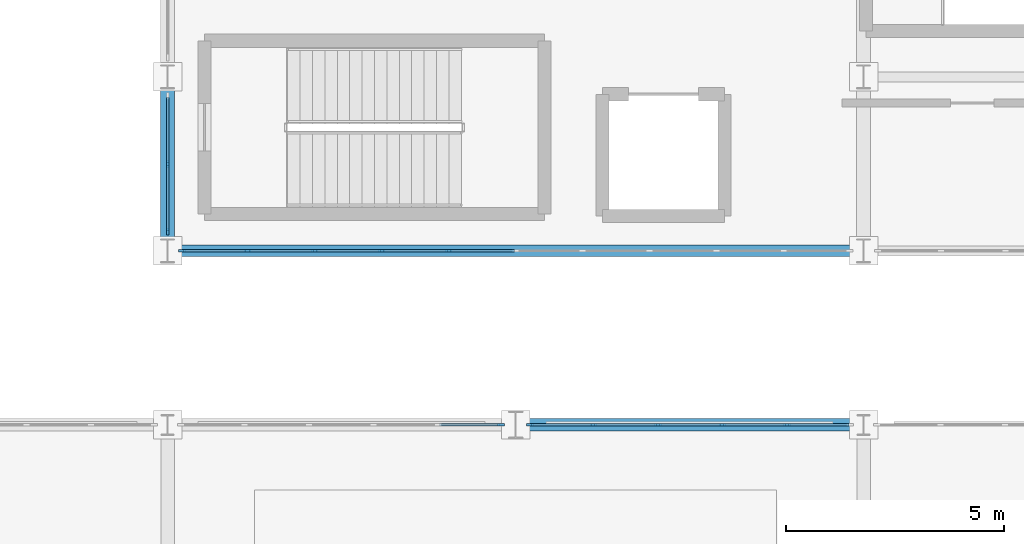
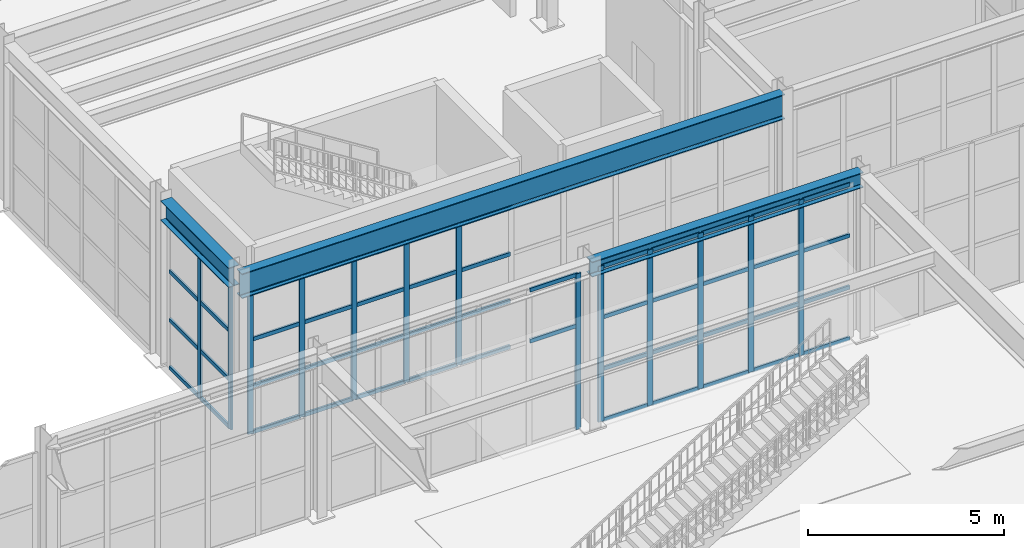
# One storey, part 32 of 82: 63 members, 3 beams, 4 elements without a shape of their own.
"""IFC4 building model written with IfcOpenShell, lengths in metres."""

from ifc_helpers import new_model, si_unit, direction, frame, origin, origin_2d, place, context, subcontext, project, spatial, rectangle, i_section, extrude, material, material_profile, profile_set, type_object, element, aggregate, save


model = new_model("IFC4")

# Units and contexts
model_context = context("Model", 3, precision=1e-05, world=origin(), true_north=direction((0.0, 1.0)))
body_context = subcontext(model_context, "Body", "Model", "MODEL_VIEW")
ifc_project = project(units=[si_unit("LENGTHUNIT", "METRE"), si_unit("AREAUNIT", "SQUARE_METRE"), si_unit("VOLUMEUNIT", "CUBIC_METRE"), si_unit("PLANEANGLEUNIT", "RADIAN"), si_unit("MASSUNIT", "GRAM", prefix="KILO")], contexts=[model_context])

# Site, building, storey
site_placement = place(None, origin())
site = spatial("IfcSite", under=ifc_project, at=site_placement, CompositionType="ELEMENT")
building_placement = place(site_placement, origin())
building = spatial("IfcBuilding", under=site, at=building_placement, Name="Serraluz Foothill Cableway Terminal", CompositionType="ELEMENT")
storey_placement = place(building_placement, frame((0.0, 0.0, 9.60009765625)))
storey = spatial("IfcBuildingStorey", under=building, at=storey_placement, Name="L02", CompositionType="ELEMENT", Elevation=9.60009765625)

# Beams
ifc_material_1 = material(Name="Steel ASTM A992 Grade 50", Category="steel")
ifc_material_profile_1 = material_profile(ifc_material_1, i_section(OverallWidth=0.324951171875, OverallDepth=0.615966796875, WebThickness=0.013916015625, FlangeThickness=0.021484375, FilletRadius=0.01806640625, at=origin_2d()), Name="W24X117")
ifc_profile_set_1 = profile_set([ifc_material_profile_1], Name="Steel ASTM A992 Grade 50")
beam_type_1 = type_object("IfcBeamType", Name="TYP-BM-W24X117", PredefinedType="BEAM", material=ifc_profile_set_1)
beam_1_placement = place(storey_placement, frame((80.0, 76.267578125, 4.841796875), z_axis=(0.0, 1.0, 0.0), x_axis=(-1.0, 0.0, 0.0)))
element("IfcBeam", 1, at=beam_1_placement, inside=storey, type_object=beam_type_1, Name="Transverse Girder BM-Y-L02-0331", PredefinedType="BEAM", context=body_context, shape_type="SweptSolid", body=[
    extrude(i_section(OverallWidth=0.324951171875, OverallDepth=0.615966796875, WebThickness=0.013916015625, FlangeThickness=0.021484375, FilletRadius=0.01806640625, at=origin_2d()), origin(), (0.0, 0.0, 1.0), 3.46484375),
])
ifc_material_profile_2 = material_profile(ifc_material_1, i_section(OverallWidth=0.26806640625, OverallDepth=0.77001953125, WebThickness=0.015625, FlangeThickness=0.025390625, FilletRadius=0.02197265625, at=origin_2d()), Name="W30X132")
ifc_profile_set_2 = profile_set([ifc_material_profile_2], Name="Steel ASTM A992 Grade 50")
beam_type_2 = type_object("IfcBeamType", Name="TYP-BM-W30X132", PredefinedType="BEAM", material=ifc_profile_set_2)
beam_2_placement = place(storey_placement, frame((80.0048828125, 76.0, 4.764892578125), z_axis=(1.0, 0.0, 0.0), x_axis=(0.0, 1.0, 0.0)))
element("IfcBeam", 2, at=beam_2_placement, inside=storey, type_object=beam_type_2, Name="Primary Girder BM-X-L02-0315", PredefinedType="BEAM", context=body_context, shape_type="SweptSolid", body=[
    extrude(i_section(OverallWidth=0.26806640625, OverallDepth=0.77001953125, WebThickness=0.015625, FlangeThickness=0.025390625, FilletRadius=0.02197265625, at=origin_2d()), origin(), (0.0, 0.0, 1.0), 15.990234375),
])

# Curtain wall, member
ifc_material_2 = material(Name="Architectural bronze alloy C28000", Category="aluminium")
curtain_wall_type_1 = type_object("IfcCurtainWallType", Name="TYP-CW-480X420", PredefinedType="NOTDEFINED", material=ifc_material_2)
curtain_wall_1_placement = place(storey_placement, origin())
curtain_wall_1 = element("IfcCurtainWall", 3, at=curtain_wall_1_placement, inside=storey, type_object=curtain_wall_type_1, Name="Ribbed Glazed Curtain Wall CW-V1N-L02-80", PredefinedType="NOTDEFINED")
ifc_material_profile_3 = material_profile(ifc_material_2, rectangle(XDim=0.06005859375, YDim=0.159912109375, at=origin_2d()), Name="ALU MULLION 60x160")
ifc_profile_set_3 = profile_set([ifc_material_profile_3], Name="Architectural bronze alloy C28000")
member_type_1 = type_object("IfcMemberType", Name="TYP-CW-MUL-60X160", PredefinedType="MULLION", material=ifc_profile_set_3)
member_1_placement = place(storey_placement, frame((87.66748046875, 72.0, 0.0), z_axis=(0.0, 0.0, 1.0), x_axis=(0.0, 1.0, 0.0)))
member_1 = element("IfcMember", 4, at=member_1_placement, type_object=member_type_1, Name="CW-15 mullion 6", PredefinedType="MULLION", context=body_context, shape_type="SweptSolid", body=[
    extrude(rectangle(XDim=0.06005859375, YDim=0.159912109375, at=origin_2d()), origin(), (0.0, 0.0, 1.0), 4.849853515625),
])

# Curtain wall, members
curtain_wall_type_2 = type_object("IfcCurtainWallType", Name="TYP-CW-440X360", PredefinedType="NOTDEFINED", material=ifc_material_2)
curtain_wall_2_placement = place(storey_placement, origin())
curtain_wall_2 = element("IfcCurtainWall", 5, at=curtain_wall_2_placement, inside=storey, type_object=curtain_wall_type_2, Name="Ribbed Glazed Curtain Wall CW-V1N-L02-88", PredefinedType="NOTDEFINED")
member_2_placement = place(storey_placement, frame((88.33251953125, 72.0, 0.0), z_axis=(0.0, 0.0, 1.0), x_axis=(0.0, 1.0, 0.0)))
member_2 = element("IfcMember", 6, at=member_2_placement, type_object=member_type_1, Name="CW-16 mullion 1", PredefinedType="MULLION", context=body_context, shape_type="SweptSolid", body=[
    extrude(rectangle(XDim=0.06005859375, YDim=0.159912109375, at=origin_2d()), origin(), (0.0, 0.0, 1.0), 4.849853515625),
])
member_3_placement = place(storey_placement, frame((89.78564453125, 72.0, 0.0), z_axis=(0.0, 0.0, 1.0), x_axis=(0.0, 1.0, 0.0)))
member_3 = element("IfcMember", 7, at=member_3_placement, type_object=member_type_1, Name="CW-16 mullion 2", PredefinedType="MULLION", context=body_context, shape_type="SweptSolid", body=[
    extrude(rectangle(XDim=0.06005859375, YDim=0.159912109375, at=origin_2d()), origin(), (0.0, 0.0, 1.0), 4.849853515625),
])
member_4_placement = place(storey_placement, frame((91.268798828125, 72.0, 0.0), z_axis=(0.0, 0.0, 1.0), x_axis=(0.0, 1.0, 0.0)))
member_4 = element("IfcMember", 8, at=member_4_placement, type_object=member_type_1, Name="CW-16 mullion 3", PredefinedType="MULLION", context=body_context, shape_type="SweptSolid", body=[
    extrude(rectangle(XDim=0.06005859375, YDim=0.159912109375, at=origin_2d()), origin(), (0.0, 0.0, 1.0), 4.849853515625),
])
member_5_placement = place(storey_placement, frame((92.752197265625, 72.0, 0.0), z_axis=(0.0, 0.0, 1.0), x_axis=(0.0, 1.0, 0.0)))
member_5 = element("IfcMember", 9, at=member_5_placement, type_object=member_type_1, Name="CW-16 mullion 4", PredefinedType="MULLION", context=body_context, shape_type="SweptSolid", body=[
    extrude(rectangle(XDim=0.06005859375, YDim=0.159912109375, at=origin_2d()), origin(), (0.0, 0.0, 1.0), 4.849853515625),
])
member_6_placement = place(storey_placement, frame((94.2353515625, 72.0, 0.0), z_axis=(0.0, 0.0, 1.0), x_axis=(0.0, 1.0, 0.0)))
member_6 = element("IfcMember", 10, at=member_6_placement, type_object=member_type_1, Name="CW-16 mullion 5", PredefinedType="MULLION", context=body_context, shape_type="SweptSolid", body=[
    extrude(rectangle(XDim=0.06005859375, YDim=0.159912109375, at=origin_2d()), origin(), (0.0, 0.0, 1.0), 4.849853515625),
])

curtain_wall_type_3 = type_object("IfcCurtainWallType", Name="TYP-CW-680X420", PredefinedType="NOTDEFINED", material=ifc_material_2)
curtain_wall_3_placement = place(storey_placement, origin())
curtain_wall_3 = element("IfcCurtainWall", 11, at=curtain_wall_3_placement, inside=storey, type_object=curtain_wall_type_3, Name="Ribbed Glazed Curtain Wall CW-V4S-L02-80", PredefinedType="NOTDEFINED")
member_7_placement = place(storey_placement, frame((86.459228515625, 76.0, 0.0), z_axis=(0.0, 0.0, 1.0), x_axis=(0.0, -1.0, 0.0)))
member_7 = element("IfcMember", 12, at=member_7_placement, type_object=member_type_1, Name="CW-13 mullion 7", PredefinedType="MULLION", context=body_context, shape_type="SweptSolid", body=[
    extrude(rectangle(XDim=0.06005859375, YDim=0.159912109375, at=origin_2d()), origin(), (0.0, 0.0, 1.0), 4.3798828125),
])
member_8_placement = place(storey_placement, frame((84.91845703125, 76.0, 0.0), z_axis=(0.0, 0.0, 1.0), x_axis=(0.0, -1.0, 0.0)))
member_8 = element("IfcMember", 13, at=member_8_placement, type_object=member_type_1, Name="CW-13 mullion 8", PredefinedType="MULLION", context=body_context, shape_type="SweptSolid", body=[
    extrude(rectangle(XDim=0.06005859375, YDim=0.159912109375, at=origin_2d()), origin(), (0.0, 0.0, 1.0), 4.3798828125),
])
member_9_placement = place(storey_placement, frame((83.377685546875, 76.0, 0.0), z_axis=(0.0, 0.0, 1.0), x_axis=(0.0, -1.0, 0.0)))
member_9 = element("IfcMember", 14, at=member_9_placement, type_object=member_type_1, Name="CW-13 mullion 9", PredefinedType="MULLION", context=body_context, shape_type="SweptSolid", body=[
    extrude(rectangle(XDim=0.06005859375, YDim=0.159912109375, at=origin_2d()), origin(), (0.0, 0.0, 1.0), 4.3798828125),
])
member_10_placement = place(storey_placement, frame((81.8369140625, 76.0, 0.0), z_axis=(0.0, 0.0, 1.0), x_axis=(0.0, -1.0, 0.0)))
member_10 = element("IfcMember", 15, at=member_10_placement, type_object=member_type_1, Name="CW-13 mullion 10", PredefinedType="MULLION", context=body_context, shape_type="SweptSolid", body=[
    extrude(rectangle(XDim=0.06005859375, YDim=0.159912109375, at=origin_2d()), origin(), (0.0, 0.0, 1.0), 4.3798828125),
])
member_11_placement = place(storey_placement, frame((80.325927734375, 76.0, 0.0), z_axis=(0.0, 0.0, 1.0), x_axis=(0.0, -1.0, 0.0)))
member_11 = element("IfcMember", 16, at=member_11_placement, type_object=member_type_1, Name="CW-13 mullion 11", PredefinedType="MULLION", context=body_context, shape_type="SweptSolid", body=[
    extrude(rectangle(XDim=0.06005859375, YDim=0.159912109375, at=origin_2d()), origin(), (0.0, 0.0, 1.0), 4.3798828125),
])

curtain_wall_4_placement = place(storey_placement, origin())
curtain_wall_4 = element("IfcCurtainWall", 17, at=curtain_wall_4_placement, inside=storey, type_object=curtain_wall_type_3, Name="Ribbed Glazed Curtain Wall CW-V4W-L02-76", PredefinedType="NOTDEFINED")
member_12_placement = place(storey_placement, frame((80.0, 76.44140625, 0.0), z_axis=(0.0, 0.0, 1.0), x_axis=(-1.0, 0.0, 0.0)))
member_12 = element("IfcMember", 18, at=member_12_placement, type_object=member_type_1, Name="CW-13 mullion 1", PredefinedType="MULLION", context=body_context, shape_type="SweptSolid", body=[
    extrude(rectangle(XDim=0.06005859375, YDim=0.159912109375, at=origin_2d()), origin(), (0.0, 0.0, 1.0), 4.533935546875),
])
member_13_placement = place(storey_placement, frame((80.0, 78.0, 0.0), z_axis=(0.0, 0.0, 1.0), x_axis=(-1.0, 0.0, 0.0)))
member_13 = element("IfcMember", 19, at=member_13_placement, type_object=member_type_1, Name="CW-13 mullion 2", PredefinedType="MULLION", context=body_context, shape_type="SweptSolid", body=[
    extrude(rectangle(XDim=0.06005859375, YDim=0.159912109375, at=origin_2d()), origin(), (0.0, 0.0, 1.0), 4.533935546875),
])

# Member
ifc_material_profile_4 = material_profile(ifc_material_2, rectangle(XDim=0.06005859375, YDim=0.1201171875, at=origin_2d()), Name="ALU TRANSOM 60x120")
ifc_profile_set_4 = profile_set([ifc_material_profile_4], Name="Architectural bronze alloy C28000")
member_type_2 = type_object("IfcMemberType", Name="TYP-CW-TRN-60X120", PredefinedType="USERDEFINED", material=ifc_profile_set_4)
member_14_placement = place(storey_placement, frame((86.244384765625, 72.0, 3.233154296875), z_axis=(1.0, 0.0, 0.0), x_axis=(0.0, 1.0, 0.0)))
member_14 = element("IfcMember", 20, at=member_14_placement, type_object=member_type_2, Name="CW-15 transom 5.3", ObjectType="TRANSOM", PredefinedType="USERDEFINED", context=body_context, shape_type="SweptSolid", body=[
    extrude(rectangle(XDim=0.06005859375, YDim=0.1201171875, at=origin_2d()), origin(), (0.0, 0.0, 1.0), 1.39306640625),
])

member_15_placement = place(storey_placement, frame((86.244384765625, 72.0, 4.81982421875), z_axis=(1.0, 0.0, 0.0), x_axis=(0.0, 1.0, 0.0)))
member_15 = element("IfcMember", 21, at=member_15_placement, type_object=member_type_2, Name="CW-15 transom 5.4", ObjectType="TRANSOM", PredefinedType="USERDEFINED", context=body_context, shape_type="SweptSolid", body=[
    extrude(rectangle(XDim=0.06005859375, YDim=0.1201171875, at=origin_2d()), origin(), (0.0, 0.0, 1.0), 1.39306640625),
])

aggregate(curtain_wall_1, [member_1, member_14, member_15])

member_16_placement = place(storey_placement, frame((88.362548828125, 72.0, 0.02978515625), z_axis=(1.0, 0.0, 0.0), x_axis=(0.0, 1.0, 0.0)))
member_16 = element("IfcMember", 22, at=member_16_placement, type_object=member_type_2, Name="CW-16 transom 1.1", ObjectType="TRANSOM", PredefinedType="USERDEFINED", context=body_context, shape_type="SweptSolid", body=[
    extrude(rectangle(XDim=0.06005859375, YDim=0.1201171875, at=origin_2d()), origin(), (0.0, 0.0, 1.0), 1.39306640625),
])

member_17_placement = place(storey_placement, frame((88.362548828125, 72.0, 1.61669921875), z_axis=(1.0, 0.0, 0.0), x_axis=(0.0, 1.0, 0.0)))
member_17 = element("IfcMember", 23, at=member_17_placement, type_object=member_type_2, Name="CW-16 transom 1.2", ObjectType="TRANSOM", PredefinedType="USERDEFINED", context=body_context, shape_type="SweptSolid", body=[
    extrude(rectangle(XDim=0.06005859375, YDim=0.1201171875, at=origin_2d()), origin(), (0.0, 0.0, 1.0), 1.39306640625),
])

member_18_placement = place(storey_placement, frame((88.362548828125, 72.0, 3.233154296875), z_axis=(1.0, 0.0, 0.0), x_axis=(0.0, 1.0, 0.0)))
member_18 = element("IfcMember", 24, at=member_18_placement, type_object=member_type_2, Name="CW-16 transom 1.3", ObjectType="TRANSOM", PredefinedType="USERDEFINED", context=body_context, shape_type="SweptSolid", body=[
    extrude(rectangle(XDim=0.06005859375, YDim=0.1201171875, at=origin_2d()), origin(), (0.0, 0.0, 1.0), 1.39306640625),
])

member_19_placement = place(storey_placement, frame((88.362548828125, 72.0, 4.81982421875), z_axis=(1.0, 0.0, 0.0), x_axis=(0.0, 1.0, 0.0)))
member_19 = element("IfcMember", 25, at=member_19_placement, type_object=member_type_2, Name="CW-16 transom 1.4", ObjectType="TRANSOM", PredefinedType="USERDEFINED", context=body_context, shape_type="SweptSolid", body=[
    extrude(rectangle(XDim=0.06005859375, YDim=0.1201171875, at=origin_2d()), origin(), (0.0, 0.0, 1.0), 1.39306640625),
])

member_20_placement = place(storey_placement, frame((89.815673828125, 72.0, 0.02978515625), z_axis=(1.0, 0.0, 0.0), x_axis=(0.0, 1.0, 0.0)))
member_20 = element("IfcMember", 26, at=member_20_placement, type_object=member_type_2, Name="CW-16 transom 2.1", ObjectType="TRANSOM", PredefinedType="USERDEFINED", context=body_context, shape_type="SweptSolid", body=[
    extrude(rectangle(XDim=0.06005859375, YDim=0.1201171875, at=origin_2d()), origin(), (0.0, 0.0, 1.0), 1.42333984375),
])

member_21_placement = place(storey_placement, frame((89.815673828125, 72.0, 1.61669921875), z_axis=(1.0, 0.0, 0.0), x_axis=(0.0, 1.0, 0.0)))
member_21 = element("IfcMember", 27, at=member_21_placement, type_object=member_type_2, Name="CW-16 transom 2.2", ObjectType="TRANSOM", PredefinedType="USERDEFINED", context=body_context, shape_type="SweptSolid", body=[
    extrude(rectangle(XDim=0.06005859375, YDim=0.1201171875, at=origin_2d()), origin(), (0.0, 0.0, 1.0), 1.42333984375),
])

member_22_placement = place(storey_placement, frame((89.815673828125, 72.0, 3.233154296875), z_axis=(1.0, 0.0, 0.0), x_axis=(0.0, 1.0, 0.0)))
member_22 = element("IfcMember", 28, at=member_22_placement, type_object=member_type_2, Name="CW-16 transom 2.3", ObjectType="TRANSOM", PredefinedType="USERDEFINED", context=body_context, shape_type="SweptSolid", body=[
    extrude(rectangle(XDim=0.06005859375, YDim=0.1201171875, at=origin_2d()), origin(), (0.0, 0.0, 1.0), 1.42333984375),
])

member_23_placement = place(storey_placement, frame((89.815673828125, 72.0, 4.81982421875), z_axis=(1.0, 0.0, 0.0), x_axis=(0.0, 1.0, 0.0)))
member_23 = element("IfcMember", 29, at=member_23_placement, type_object=member_type_2, Name="CW-16 transom 2.4", ObjectType="TRANSOM", PredefinedType="USERDEFINED", context=body_context, shape_type="SweptSolid", body=[
    extrude(rectangle(XDim=0.06005859375, YDim=0.1201171875, at=origin_2d()), origin(), (0.0, 0.0, 1.0), 1.42333984375),
])

member_24_placement = place(storey_placement, frame((91.298828125, 72.0, 0.02978515625), z_axis=(1.0, 0.0, 0.0), x_axis=(0.0, 1.0, 0.0)))
member_24 = element("IfcMember", 30, at=member_24_placement, type_object=member_type_2, Name="CW-16 transom 3.1", ObjectType="TRANSOM", PredefinedType="USERDEFINED", context=body_context, shape_type="SweptSolid", body=[
    extrude(rectangle(XDim=0.06005859375, YDim=0.1201171875, at=origin_2d()), origin(), (0.0, 0.0, 1.0), 1.42333984375),
])

member_25_placement = place(storey_placement, frame((91.298828125, 72.0, 1.61669921875), z_axis=(1.0, 0.0, 0.0), x_axis=(0.0, 1.0, 0.0)))
member_25 = element("IfcMember", 31, at=member_25_placement, type_object=member_type_2, Name="CW-16 transom 3.2", ObjectType="TRANSOM", PredefinedType="USERDEFINED", context=body_context, shape_type="SweptSolid", body=[
    extrude(rectangle(XDim=0.06005859375, YDim=0.1201171875, at=origin_2d()), origin(), (0.0, 0.0, 1.0), 1.42333984375),
])

member_26_placement = place(storey_placement, frame((91.298828125, 72.0, 3.233154296875), z_axis=(1.0, 0.0, 0.0), x_axis=(0.0, 1.0, 0.0)))
member_26 = element("IfcMember", 32, at=member_26_placement, type_object=member_type_2, Name="CW-16 transom 3.3", ObjectType="TRANSOM", PredefinedType="USERDEFINED", context=body_context, shape_type="SweptSolid", body=[
    extrude(rectangle(XDim=0.06005859375, YDim=0.1201171875, at=origin_2d()), origin(), (0.0, 0.0, 1.0), 1.42333984375),
])

member_27_placement = place(storey_placement, frame((91.298828125, 72.0, 4.81982421875), z_axis=(1.0, 0.0, 0.0), x_axis=(0.0, 1.0, 0.0)))
member_27 = element("IfcMember", 33, at=member_27_placement, type_object=member_type_2, Name="CW-16 transom 3.4", ObjectType="TRANSOM", PredefinedType="USERDEFINED", context=body_context, shape_type="SweptSolid", body=[
    extrude(rectangle(XDim=0.06005859375, YDim=0.1201171875, at=origin_2d()), origin(), (0.0, 0.0, 1.0), 1.42333984375),
])

member_28_placement = place(storey_placement, frame((92.781982421875, 72.0, 0.02978515625), z_axis=(1.0, 0.0, 0.0), x_axis=(0.0, 1.0, 0.0)))
member_28 = element("IfcMember", 34, at=member_28_placement, type_object=member_type_2, Name="CW-16 transom 4.1", ObjectType="TRANSOM", PredefinedType="USERDEFINED", context=body_context, shape_type="SweptSolid", body=[
    extrude(rectangle(XDim=0.06005859375, YDim=0.1201171875, at=origin_2d()), origin(), (0.0, 0.0, 1.0), 1.42333984375),
])

member_29_placement = place(storey_placement, frame((92.781982421875, 72.0, 1.61669921875), z_axis=(1.0, 0.0, 0.0), x_axis=(0.0, 1.0, 0.0)))
member_29 = element("IfcMember", 35, at=member_29_placement, type_object=member_type_2, Name="CW-16 transom 4.2", ObjectType="TRANSOM", PredefinedType="USERDEFINED", context=body_context, shape_type="SweptSolid", body=[
    extrude(rectangle(XDim=0.06005859375, YDim=0.1201171875, at=origin_2d()), origin(), (0.0, 0.0, 1.0), 1.42333984375),
])

member_30_placement = place(storey_placement, frame((92.781982421875, 72.0, 3.233154296875), z_axis=(1.0, 0.0, 0.0), x_axis=(0.0, 1.0, 0.0)))
member_30 = element("IfcMember", 36, at=member_30_placement, type_object=member_type_2, Name="CW-16 transom 4.3", ObjectType="TRANSOM", PredefinedType="USERDEFINED", context=body_context, shape_type="SweptSolid", body=[
    extrude(rectangle(XDim=0.06005859375, YDim=0.1201171875, at=origin_2d()), origin(), (0.0, 0.0, 1.0), 1.42333984375),
])

member_31_placement = place(storey_placement, frame((92.781982421875, 72.0, 4.81982421875), z_axis=(1.0, 0.0, 0.0), x_axis=(0.0, 1.0, 0.0)))
member_31 = element("IfcMember", 37, at=member_31_placement, type_object=member_type_2, Name="CW-16 transom 4.4", ObjectType="TRANSOM", PredefinedType="USERDEFINED", context=body_context, shape_type="SweptSolid", body=[
    extrude(rectangle(XDim=0.06005859375, YDim=0.1201171875, at=origin_2d()), origin(), (0.0, 0.0, 1.0), 1.42333984375),
])

member_32_placement = place(storey_placement, frame((94.265380859375, 72.0, 0.02978515625), z_axis=(1.0, 0.0, 0.0), x_axis=(0.0, 1.0, 0.0)))
member_32 = element("IfcMember", 38, at=member_32_placement, type_object=member_type_2, Name="CW-16 transom 5.1", ObjectType="TRANSOM", PredefinedType="USERDEFINED", context=body_context, shape_type="SweptSolid", body=[
    extrude(rectangle(XDim=0.06005859375, YDim=0.1201171875, at=origin_2d()), origin(), (0.0, 0.0, 1.0), 1.39306640625),
])

member_33_placement = place(storey_placement, frame((94.265380859375, 72.0, 1.61669921875), z_axis=(1.0, 0.0, 0.0), x_axis=(0.0, 1.0, 0.0)))
member_33 = element("IfcMember", 39, at=member_33_placement, type_object=member_type_2, Name="CW-16 transom 5.2", ObjectType="TRANSOM", PredefinedType="USERDEFINED", context=body_context, shape_type="SweptSolid", body=[
    extrude(rectangle(XDim=0.06005859375, YDim=0.1201171875, at=origin_2d()), origin(), (0.0, 0.0, 1.0), 1.39306640625),
])

member_34_placement = place(storey_placement, frame((94.265380859375, 72.0, 3.233154296875), z_axis=(1.0, 0.0, 0.0), x_axis=(0.0, 1.0, 0.0)))
member_34 = element("IfcMember", 40, at=member_34_placement, type_object=member_type_2, Name="CW-16 transom 5.3", ObjectType="TRANSOM", PredefinedType="USERDEFINED", context=body_context, shape_type="SweptSolid", body=[
    extrude(rectangle(XDim=0.06005859375, YDim=0.1201171875, at=origin_2d()), origin(), (0.0, 0.0, 1.0), 1.39306640625),
])

member_35_placement = place(storey_placement, frame((94.265380859375, 72.0, 4.81982421875), z_axis=(1.0, 0.0, 0.0), x_axis=(0.0, 1.0, 0.0)))
member_35 = element("IfcMember", 41, at=member_35_placement, type_object=member_type_2, Name="CW-16 transom 5.4", ObjectType="TRANSOM", PredefinedType="USERDEFINED", context=body_context, shape_type="SweptSolid", body=[
    extrude(rectangle(XDim=0.06005859375, YDim=0.1201171875, at=origin_2d()), origin(), (0.0, 0.0, 1.0), 1.39306640625),
])

aggregate(curtain_wall_2, [member_2, member_3, member_4, member_5, member_6, member_16, member_17, member_18, member_19, member_20, member_21, member_22, member_23, member_24, member_25, member_26, member_27, member_28, member_29, member_30, member_31, member_32, member_33, member_34, member_35])

member_36_placement = place(storey_placement, frame((87.969970703125, 76.0, 0.02978515625), z_axis=(-1.0, 0.0, 0.0), x_axis=(0.0, -1.0, 0.0)))
member_36 = element("IfcMember", 42, at=member_36_placement, type_object=member_type_2, Name="CW-13 transom 6.1", ObjectType="TRANSOM", PredefinedType="USERDEFINED", context=body_context, shape_type="SweptSolid", body=[
    extrude(rectangle(XDim=0.06005859375, YDim=0.1201171875, at=origin_2d()), origin(), (0.0, 0.0, 1.0), 1.480712890625),
])

member_37_placement = place(storey_placement, frame((87.969970703125, 76.0, 1.4599609375), z_axis=(-1.0, 0.0, 0.0), x_axis=(0.0, -1.0, 0.0)))
member_37 = element("IfcMember", 43, at=member_37_placement, type_object=member_type_2, Name="CW-13 transom 6.2", ObjectType="TRANSOM", PredefinedType="USERDEFINED", context=body_context, shape_type="SweptSolid", body=[
    extrude(rectangle(XDim=0.06005859375, YDim=0.1201171875, at=origin_2d()), origin(), (0.0, 0.0, 1.0), 1.480712890625),
])

member_38_placement = place(storey_placement, frame((87.969970703125, 76.0, 2.919921875), z_axis=(-1.0, 0.0, 0.0), x_axis=(0.0, -1.0, 0.0)))
member_38 = element("IfcMember", 44, at=member_38_placement, type_object=member_type_2, Name="CW-13 transom 6.3", ObjectType="TRANSOM", PredefinedType="USERDEFINED", context=body_context, shape_type="SweptSolid", body=[
    extrude(rectangle(XDim=0.06005859375, YDim=0.1201171875, at=origin_2d()), origin(), (0.0, 0.0, 1.0), 1.480712890625),
])

member_39_placement = place(storey_placement, frame((87.969970703125, 76.0, 4.349853515625), z_axis=(-1.0, 0.0, 0.0), x_axis=(0.0, -1.0, 0.0)))
member_39 = element("IfcMember", 45, at=member_39_placement, type_object=member_type_2, Name="CW-13 transom 6.4", ObjectType="TRANSOM", PredefinedType="USERDEFINED", context=body_context, shape_type="SweptSolid", body=[
    extrude(rectangle(XDim=0.06005859375, YDim=0.1201171875, at=origin_2d()), origin(), (0.0, 0.0, 1.0), 1.480712890625),
])

member_40_placement = place(storey_placement, frame((86.42919921875, 76.0, 0.02978515625), z_axis=(-1.0, 0.0, 0.0), x_axis=(0.0, -1.0, 0.0)))
member_40 = element("IfcMember", 46, at=member_40_placement, type_object=member_type_2, Name="CW-13 transom 7.1", ObjectType="TRANSOM", PredefinedType="USERDEFINED", context=body_context, shape_type="SweptSolid", body=[
    extrude(rectangle(XDim=0.06005859375, YDim=0.1201171875, at=origin_2d()), origin(), (0.0, 0.0, 1.0), 1.480712890625),
])

member_41_placement = place(storey_placement, frame((86.42919921875, 76.0, 1.4599609375), z_axis=(-1.0, 0.0, 0.0), x_axis=(0.0, -1.0, 0.0)))
member_41 = element("IfcMember", 47, at=member_41_placement, type_object=member_type_2, Name="CW-13 transom 7.2", ObjectType="TRANSOM", PredefinedType="USERDEFINED", context=body_context, shape_type="SweptSolid", body=[
    extrude(rectangle(XDim=0.06005859375, YDim=0.1201171875, at=origin_2d()), origin(), (0.0, 0.0, 1.0), 1.480712890625),
])

member_42_placement = place(storey_placement, frame((86.42919921875, 76.0, 2.919921875), z_axis=(-1.0, 0.0, 0.0), x_axis=(0.0, -1.0, 0.0)))
member_42 = element("IfcMember", 48, at=member_42_placement, type_object=member_type_2, Name="CW-13 transom 7.3", ObjectType="TRANSOM", PredefinedType="USERDEFINED", context=body_context, shape_type="SweptSolid", body=[
    extrude(rectangle(XDim=0.06005859375, YDim=0.1201171875, at=origin_2d()), origin(), (0.0, 0.0, 1.0), 1.480712890625),
])

member_43_placement = place(storey_placement, frame((86.42919921875, 76.0, 4.349853515625), z_axis=(-1.0, 0.0, 0.0), x_axis=(0.0, -1.0, 0.0)))
member_43 = element("IfcMember", 49, at=member_43_placement, type_object=member_type_2, Name="CW-13 transom 7.4", ObjectType="TRANSOM", PredefinedType="USERDEFINED", context=body_context, shape_type="SweptSolid", body=[
    extrude(rectangle(XDim=0.06005859375, YDim=0.1201171875, at=origin_2d()), origin(), (0.0, 0.0, 1.0), 1.480712890625),
])

member_44_placement = place(storey_placement, frame((84.888427734375, 76.0, 0.02978515625), z_axis=(-1.0, 0.0, 0.0), x_axis=(0.0, -1.0, 0.0)))
member_44 = element("IfcMember", 50, at=member_44_placement, type_object=member_type_2, Name="CW-13 transom 8.1", ObjectType="TRANSOM", PredefinedType="USERDEFINED", context=body_context, shape_type="SweptSolid", body=[
    extrude(rectangle(XDim=0.06005859375, YDim=0.1201171875, at=origin_2d()), origin(), (0.0, 0.0, 1.0), 1.480712890625),
])

member_45_placement = place(storey_placement, frame((84.888427734375, 76.0, 1.4599609375), z_axis=(-1.0, 0.0, 0.0), x_axis=(0.0, -1.0, 0.0)))
member_45 = element("IfcMember", 51, at=member_45_placement, type_object=member_type_2, Name="CW-13 transom 8.2", ObjectType="TRANSOM", PredefinedType="USERDEFINED", context=body_context, shape_type="SweptSolid", body=[
    extrude(rectangle(XDim=0.06005859375, YDim=0.1201171875, at=origin_2d()), origin(), (0.0, 0.0, 1.0), 1.480712890625),
])

member_46_placement = place(storey_placement, frame((84.888427734375, 76.0, 2.919921875), z_axis=(-1.0, 0.0, 0.0), x_axis=(0.0, -1.0, 0.0)))
member_46 = element("IfcMember", 52, at=member_46_placement, type_object=member_type_2, Name="CW-13 transom 8.3", ObjectType="TRANSOM", PredefinedType="USERDEFINED", context=body_context, shape_type="SweptSolid", body=[
    extrude(rectangle(XDim=0.06005859375, YDim=0.1201171875, at=origin_2d()), origin(), (0.0, 0.0, 1.0), 1.480712890625),
])

member_47_placement = place(storey_placement, frame((84.888427734375, 76.0, 4.349853515625), z_axis=(-1.0, 0.0, 0.0), x_axis=(0.0, -1.0, 0.0)))
member_47 = element("IfcMember", 53, at=member_47_placement, type_object=member_type_2, Name="CW-13 transom 8.4", ObjectType="TRANSOM", PredefinedType="USERDEFINED", context=body_context, shape_type="SweptSolid", body=[
    extrude(rectangle(XDim=0.06005859375, YDim=0.1201171875, at=origin_2d()), origin(), (0.0, 0.0, 1.0), 1.480712890625),
])

member_48_placement = place(storey_placement, frame((83.34765625, 76.0, 0.02978515625), z_axis=(-1.0, 0.0, 0.0), x_axis=(0.0, -1.0, 0.0)))
member_48 = element("IfcMember", 54, at=member_48_placement, type_object=member_type_2, Name="CW-13 transom 9.1", ObjectType="TRANSOM", PredefinedType="USERDEFINED", context=body_context, shape_type="SweptSolid", body=[
    extrude(rectangle(XDim=0.06005859375, YDim=0.1201171875, at=origin_2d()), origin(), (0.0, 0.0, 1.0), 1.48095703125),
])

member_49_placement = place(storey_placement, frame((83.34765625, 76.0, 1.4599609375), z_axis=(-1.0, 0.0, 0.0), x_axis=(0.0, -1.0, 0.0)))
member_49 = element("IfcMember", 55, at=member_49_placement, type_object=member_type_2, Name="CW-13 transom 9.2", ObjectType="TRANSOM", PredefinedType="USERDEFINED", context=body_context, shape_type="SweptSolid", body=[
    extrude(rectangle(XDim=0.06005859375, YDim=0.1201171875, at=origin_2d()), origin(), (0.0, 0.0, 1.0), 1.48095703125),
])

member_50_placement = place(storey_placement, frame((83.34765625, 76.0, 2.919921875), z_axis=(-1.0, 0.0, 0.0), x_axis=(0.0, -1.0, 0.0)))
member_50 = element("IfcMember", 56, at=member_50_placement, type_object=member_type_2, Name="CW-13 transom 9.3", ObjectType="TRANSOM", PredefinedType="USERDEFINED", context=body_context, shape_type="SweptSolid", body=[
    extrude(rectangle(XDim=0.06005859375, YDim=0.1201171875, at=origin_2d()), origin(), (0.0, 0.0, 1.0), 1.48095703125),
])

member_51_placement = place(storey_placement, frame((83.34765625, 76.0, 4.349853515625), z_axis=(-1.0, 0.0, 0.0), x_axis=(0.0, -1.0, 0.0)))
member_51 = element("IfcMember", 57, at=member_51_placement, type_object=member_type_2, Name="CW-13 transom 9.4", ObjectType="TRANSOM", PredefinedType="USERDEFINED", context=body_context, shape_type="SweptSolid", body=[
    extrude(rectangle(XDim=0.06005859375, YDim=0.1201171875, at=origin_2d()), origin(), (0.0, 0.0, 1.0), 1.48095703125),
])

member_52_placement = place(storey_placement, frame((81.806884765625, 76.0, 0.02978515625), z_axis=(-1.0, 0.0, 0.0), x_axis=(0.0, -1.0, 0.0)))
member_52 = element("IfcMember", 58, at=member_52_placement, type_object=member_type_2, Name="CW-13 transom 10.1", ObjectType="TRANSOM", PredefinedType="USERDEFINED", context=body_context, shape_type="SweptSolid", body=[
    extrude(rectangle(XDim=0.06005859375, YDim=0.1201171875, at=origin_2d()), origin(), (0.0, 0.0, 1.0), 1.450927734375),
])

member_53_placement = place(storey_placement, frame((81.806884765625, 76.0, 1.4599609375), z_axis=(-1.0, 0.0, 0.0), x_axis=(0.0, -1.0, 0.0)))
member_53 = element("IfcMember", 59, at=member_53_placement, type_object=member_type_2, Name="CW-13 transom 10.2", ObjectType="TRANSOM", PredefinedType="USERDEFINED", context=body_context, shape_type="SweptSolid", body=[
    extrude(rectangle(XDim=0.06005859375, YDim=0.1201171875, at=origin_2d()), origin(), (0.0, 0.0, 1.0), 1.450927734375),
])

member_54_placement = place(storey_placement, frame((81.806884765625, 76.0, 2.919921875), z_axis=(-1.0, 0.0, 0.0), x_axis=(0.0, -1.0, 0.0)))
member_54 = element("IfcMember", 60, at=member_54_placement, type_object=member_type_2, Name="CW-13 transom 10.3", ObjectType="TRANSOM", PredefinedType="USERDEFINED", context=body_context, shape_type="SweptSolid", body=[
    extrude(rectangle(XDim=0.06005859375, YDim=0.1201171875, at=origin_2d()), origin(), (0.0, 0.0, 1.0), 1.450927734375),
])

member_55_placement = place(storey_placement, frame((81.806884765625, 76.0, 4.349853515625), z_axis=(-1.0, 0.0, 0.0), x_axis=(0.0, -1.0, 0.0)))
member_55 = element("IfcMember", 61, at=member_55_placement, type_object=member_type_2, Name="CW-13 transom 10.4", ObjectType="TRANSOM", PredefinedType="USERDEFINED", context=body_context, shape_type="SweptSolid", body=[
    extrude(rectangle(XDim=0.06005859375, YDim=0.1201171875, at=origin_2d()), origin(), (0.0, 0.0, 1.0), 1.450927734375),
])

aggregate(curtain_wall_3, [member_7, member_8, member_9, member_10, member_11, member_36, member_37, member_38, member_39, member_40, member_41, member_42, member_43, member_44, member_45, member_46, member_47, member_48, member_49, member_50, member_51, member_52, member_53, member_54, member_55])

member_56_placement = place(storey_placement, frame((80.0, 76.471435546875, 0.02978515625), z_axis=(0.0, 1.0, 0.0), x_axis=(-1.0, 0.0, 0.0)))
member_56 = element("IfcMember", 62, at=member_56_placement, type_object=member_type_2, Name="CW-13 transom 1.1", ObjectType="TRANSOM", PredefinedType="USERDEFINED", context=body_context, shape_type="SweptSolid", body=[
    extrude(rectangle(XDim=0.06005859375, YDim=0.1201171875, at=origin_2d()), origin(), (0.0, 0.0, 1.0), 1.49853515625),
])

member_57_placement = place(storey_placement, frame((80.0, 76.471435546875, 1.51123046875), z_axis=(0.0, 1.0, 0.0), x_axis=(-1.0, 0.0, 0.0)))
member_57 = element("IfcMember", 63, at=member_57_placement, type_object=member_type_2, Name="CW-13 transom 1.2", ObjectType="TRANSOM", PredefinedType="USERDEFINED", context=body_context, shape_type="SweptSolid", body=[
    extrude(rectangle(XDim=0.06005859375, YDim=0.1201171875, at=origin_2d()), origin(), (0.0, 0.0, 1.0), 1.49853515625),
])

member_58_placement = place(storey_placement, frame((80.0, 76.471435546875, 3.022705078125), z_axis=(0.0, 1.0, 0.0), x_axis=(-1.0, 0.0, 0.0)))
member_58 = element("IfcMember", 64, at=member_58_placement, type_object=member_type_2, Name="CW-13 transom 1.3", ObjectType="TRANSOM", PredefinedType="USERDEFINED", context=body_context, shape_type="SweptSolid", body=[
    extrude(rectangle(XDim=0.06005859375, YDim=0.1201171875, at=origin_2d()), origin(), (0.0, 0.0, 1.0), 1.49853515625),
])

member_59_placement = place(storey_placement, frame((80.0, 76.471435546875, 4.50390625), z_axis=(0.0, 1.0, 0.0), x_axis=(-1.0, 0.0, 0.0)))
member_59 = element("IfcMember", 65, at=member_59_placement, type_object=member_type_2, Name="CW-13 transom 1.4", ObjectType="TRANSOM", PredefinedType="USERDEFINED", context=body_context, shape_type="SweptSolid", body=[
    extrude(rectangle(XDim=0.06005859375, YDim=0.1201171875, at=origin_2d()), origin(), (0.0, 0.0, 1.0), 1.49853515625),
])

member_60_placement = place(storey_placement, frame((80.0, 78.030029296875, 0.02978515625), z_axis=(0.0, 1.0, 0.0), x_axis=(-1.0, 0.0, 0.0)))
member_60 = element("IfcMember", 66, at=member_60_placement, type_object=member_type_2, Name="CW-13 transom 2.1", ObjectType="TRANSOM", PredefinedType="USERDEFINED", context=body_context, shape_type="SweptSolid", body=[
    extrude(rectangle(XDim=0.06005859375, YDim=0.1201171875, at=origin_2d()), origin(), (0.0, 0.0, 1.0), 1.49853515625),
])

member_61_placement = place(storey_placement, frame((80.0, 78.030029296875, 1.51123046875), z_axis=(0.0, 1.0, 0.0), x_axis=(-1.0, 0.0, 0.0)))
member_61 = element("IfcMember", 67, at=member_61_placement, type_object=member_type_2, Name="CW-13 transom 2.2", ObjectType="TRANSOM", PredefinedType="USERDEFINED", context=body_context, shape_type="SweptSolid", body=[
    extrude(rectangle(XDim=0.06005859375, YDim=0.1201171875, at=origin_2d()), origin(), (0.0, 0.0, 1.0), 1.49853515625),
])

member_62_placement = place(storey_placement, frame((80.0, 78.030029296875, 3.022705078125), z_axis=(0.0, 1.0, 0.0), x_axis=(-1.0, 0.0, 0.0)))
member_62 = element("IfcMember", 68, at=member_62_placement, type_object=member_type_2, Name="CW-13 transom 2.3", ObjectType="TRANSOM", PredefinedType="USERDEFINED", context=body_context, shape_type="SweptSolid", body=[
    extrude(rectangle(XDim=0.06005859375, YDim=0.1201171875, at=origin_2d()), origin(), (0.0, 0.0, 1.0), 1.49853515625),
])

member_63_placement = place(storey_placement, frame((80.0, 78.030029296875, 4.50390625), z_axis=(0.0, 1.0, 0.0), x_axis=(-1.0, 0.0, 0.0)))
member_63 = element("IfcMember", 69, at=member_63_placement, type_object=member_type_2, Name="CW-13 transom 2.4", ObjectType="TRANSOM", PredefinedType="USERDEFINED", context=body_context, shape_type="SweptSolid", body=[
    extrude(rectangle(XDim=0.06005859375, YDim=0.1201171875, at=origin_2d()), origin(), (0.0, 0.0, 1.0), 1.49853515625),
])

aggregate(curtain_wall_4, [member_12, member_13, member_56, member_57, member_58, member_59, member_60, member_61, member_62, member_63])

# Beam
ifc_material_profile_5 = material_profile(ifc_material_1, i_section(OverallWidth=0.282958984375, OverallDepth=0.471923828125, WebThickness=0.013671875, FlangeThickness=0.022216796875, FilletRadius=0.014892578125, at=origin_2d()), Name="W18X97")
ifc_profile_set_5 = profile_set([ifc_material_profile_5], Name="Steel ASTM A992 Grade 50")
beam_type_3 = type_object("IfcBeamType", Name="TYP-SP-W18X97", PredefinedType="SPANDREL", material=ifc_profile_set_5)
beam_3_placement = place(storey_placement, frame((88.0048828125, 72.0, 4.913818359375), z_axis=(1.0, 0.0, 0.0), x_axis=(0.0, 1.0, 0.0)))
element("IfcBeam", 70, at=beam_3_placement, inside=storey, type_object=beam_type_3, Name="Primary Girder BM-X-L02-0314", PredefinedType="SPANDREL", context=body_context, shape_type="SweptSolid", body=[
    extrude(i_section(OverallWidth=0.282958984375, OverallDepth=0.471923828125, WebThickness=0.013671875, FlangeThickness=0.022216796875, FilletRadius=0.014892578125, at=origin_2d()), origin(), (0.0, 0.0, 1.0), 7.990234375),
])

save(model, "model.ifc")
